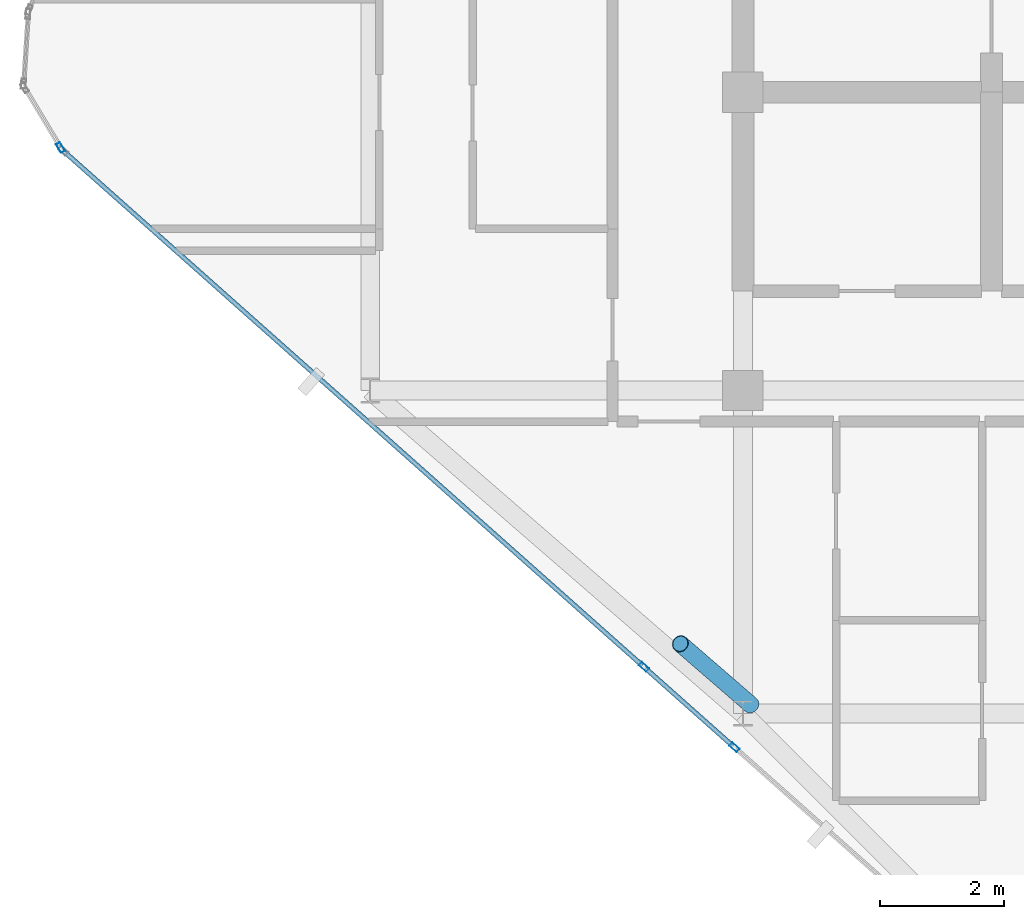
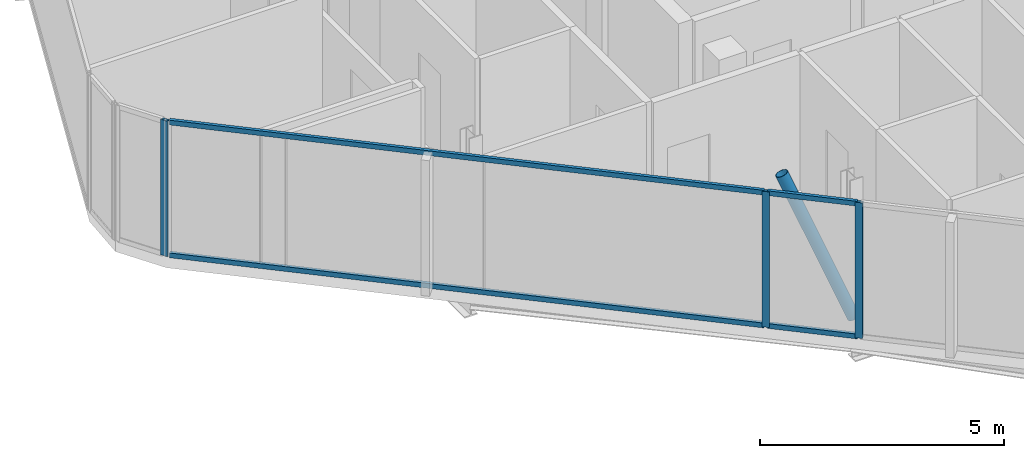
# One storey, part 3 of 27: 8 members, 4 elements without a shape of their own.
"""IFC4 building model written with IfcOpenShell, lengths in metres."""

from ifc_helpers import new_model, si_unit, direction, frame, origin, origin_2d, place, context, subcontext, project, spatial, hollow_rectangle, hollow_circle, extrude, material, layer, layer_set, material_profile, profile_set, type_object, element, aggregate, save


model = new_model("IFC4")

# Units and contexts
model_context = context("Model", 3, precision=1e-05, world=origin(), true_north=direction((0.0, 1.0)))
body_context = subcontext(model_context, "Body", "Model", "MODEL_VIEW")
ifc_project = project(units=[si_unit("LENGTHUNIT", "METRE"), si_unit("AREAUNIT", "SQUARE_METRE"), si_unit("VOLUMEUNIT", "CUBIC_METRE"), si_unit("PLANEANGLEUNIT", "RADIAN"), si_unit("MASSUNIT", "GRAM", prefix="KILO")], contexts=[model_context])

# Site, building, storey
site_placement = place(None, origin())
site = spatial("IfcSite", under=ifc_project, at=site_placement, CompositionType="ELEMENT")
building_placement = place(site_placement, origin())
building = spatial("IfcBuilding", under=site, at=building_placement, Name="Keshet Zoharim Tower", CompositionType="ELEMENT")
storey_placement = place(building_placement, frame((0.0, 0.0, 288.0)))
storey = spatial("IfcBuildingStorey", under=building, at=storey_placement, Name="L72", CompositionType="ELEMENT", Elevation=288.0)

# Curtain wall, member
ifc_material_1 = material(Name="Aluminium 6063-T6", Category="aluminium")
ifc_layer = layer(ifc_material_1, 0.260009765625)
ifc_layer_set = layer_set([ifc_layer], Name="Aluminium 6063-T6")
curtain_wall_type = type_object("IfcCurtainWallType", Name="CW-SYS-06", PredefinedType="NOTDEFINED", material=ifc_layer_set)
curtain_wall_1_placement = place(storey_placement, origin())
curtain_wall_1 = element("IfcCurtainWall", 1, at=curtain_wall_1_placement, inside=storey, type_object=curtain_wall_type, Name="L72 Unitised Curtain Wall 01", PredefinedType="NOTDEFINED")
ifc_material_profile_1 = material_profile(ifc_material_1, hollow_rectangle(XDim=0.074951171875, YDim=0.159912109375, WallThickness=0.00390625, at=origin_2d()), Name="MUL-75x160")
ifc_profile_set_1 = profile_set([ifc_material_profile_1], Name="Aluminium 6063-T6")
member_type_1 = type_object("IfcMemberType", Name="CWM-M15", PredefinedType="MULLION", material=ifc_profile_set_1)
member_1_placement = place(storey_placement, frame((4.016845703125, 21.81005859375, 0.0), z_axis=(0.0, 0.0, 1.0), x_axis=(-0.856826433805, -0.515604947933, 0.0)))
member_1 = element("IfcMember", 2, at=member_1_placement, type_object=member_type_1, Name="CW-06 mullion 1", PredefinedType="MULLION", context=body_context, shape_type="SweptSolid", body=[
    extrude(hollow_rectangle(XDim=0.074951171875, YDim=0.159912109375, WallThickness=0.00390625, at=origin_2d()), origin(), (0.0, 0.0, 1.0), 3.389892578125),
])
aggregate(curtain_wall_1, [member_1])

curtain_wall_2_placement = place(storey_placement, origin())
curtain_wall_2 = element("IfcCurtainWall", 3, at=curtain_wall_2_placement, inside=storey, type_object=curtain_wall_type, Name="L72 Unitised Curtain Wall 16", PredefinedType="NOTDEFINED")
member_2_placement = place(storey_placement, frame((14.863037109375, 12.155029296875, 0.0), z_axis=(0.0, 0.0, 1.0), x_axis=(-0.664362180559, -0.747410792699, 0.0)))
member_2 = element("IfcMember", 4, at=member_2_placement, type_object=member_type_1, Name="CW-06 mullion 2", PredefinedType="MULLION", context=body_context, shape_type="SweptSolid", body=[
    extrude(hollow_rectangle(XDim=0.074951171875, YDim=0.159912109375, WallThickness=0.00390625, at=origin_2d()), origin(), (0.0, 0.0, 1.0), 3.389892578125),
])
aggregate(curtain_wall_2, [member_2])

# Curtain wall, members
curtain_wall_3_placement = place(storey_placement, origin())
curtain_wall_3 = element("IfcCurtainWall", 5, at=curtain_wall_3_placement, inside=storey, type_object=curtain_wall_type, Name="L72 Unitised Curtain Wall 16 Part 2", PredefinedType="NOTDEFINED")
member_3_placement = place(storey_placement, frame((13.40576171875, 13.450439453125, 0.0), z_axis=(0.0, 0.0, 1.0), x_axis=(-0.664338369143, -0.747431957629, 0.0)))
member_3 = element("IfcMember", 6, at=member_3_placement, type_object=member_type_1, Name="CW-06 mullion 2", PredefinedType="MULLION", context=body_context, shape_type="SweptSolid", body=[
    extrude(hollow_rectangle(XDim=0.074951171875, YDim=0.159912109375, WallThickness=0.00390625, at=origin_2d()), origin(), (0.0, 0.0, 1.0), 3.389892578125),
])
ifc_material_profile_2 = material_profile(ifc_material_1, hollow_rectangle(XDim=0.074951171875, YDim=0.1201171875, WallThickness=0.00390625, at=origin_2d()), Name="TRN-75x120")
ifc_profile_set_2 = profile_set([ifc_material_profile_2], Name="Aluminium 6063-T6")
member_type_2 = type_object("IfcMemberType", Name="CWT-T12", PredefinedType="USERDEFINED", material=ifc_profile_set_2)
member_4_placement = place(storey_placement, frame((14.8369140625, 12.178466796875, 0.034912109375), z_axis=(-0.747452318941, 0.664315460387, 0.0), x_axis=(-0.664315460387, -0.747452318941, 0.0)))
member_4 = element("IfcMember", 7, at=member_4_placement, type_object=member_type_2, Name="CW-06 transom 1.1", ObjectType="TRANSOM", PredefinedType="USERDEFINED", context=body_context, shape_type="SweptSolid", body=[
    extrude(hollow_rectangle(XDim=0.074951171875, YDim=0.1201171875, WallThickness=0.00390625, at=origin_2d()), origin(), (0.0, 0.0, 1.0), 1.87939453125),
])
member_5_placement = place(storey_placement, frame((14.8369140625, 12.178466796875, 3.35498046875), z_axis=(-0.747452318941, 0.664315460387, 0.0), x_axis=(-0.664315460387, -0.747452318941, 0.0)))
member_5 = element("IfcMember", 8, at=member_5_placement, type_object=member_type_2, Name="CW-06 transom 1.2", ObjectType="TRANSOM", PredefinedType="USERDEFINED", context=body_context, shape_type="SweptSolid", body=[
    extrude(hollow_rectangle(XDim=0.074951171875, YDim=0.1201171875, WallThickness=0.00390625, at=origin_2d()), origin(), (0.0, 0.0, 1.0), 1.87939453125),
])
aggregate(curtain_wall_3, [member_3, member_4, member_5])

curtain_wall_4_placement = place(storey_placement, origin())
curtain_wall_4 = element("IfcCurtainWall", 9, at=curtain_wall_4_placement, inside=storey, type_object=curtain_wall_type, Name="L72 Unitised Curtain Wall 16 Part 3", PredefinedType="NOTDEFINED")
member_6_placement = place(storey_placement, frame((13.379638671875, 13.4736328125, 0.034912109375), z_axis=(-0.747409318684, 0.66436383883, 0.0), x_axis=(-0.66436383883, -0.747409318684, 0.0)))
member_6 = element("IfcMember", 10, at=member_6_placement, type_object=member_type_2, Name="CW-06 transom 1.1", ObjectType="TRANSOM", PredefinedType="USERDEFINED", context=body_context, shape_type="SweptSolid", body=[
    extrude(hollow_rectangle(XDim=0.074951171875, YDim=0.1201171875, WallThickness=0.00390625, at=origin_2d()), origin(), (0.0, 0.0, 1.0), 12.4326171875),
])
member_7_placement = place(storey_placement, frame((13.379638671875, 13.4736328125, 3.35498046875), z_axis=(-0.747409318684, 0.66436383883, 0.0), x_axis=(-0.66436383883, -0.747409318684, 0.0)))
member_7 = element("IfcMember", 11, at=member_7_placement, type_object=member_type_2, Name="CW-06 transom 1.2", ObjectType="TRANSOM", PredefinedType="USERDEFINED", context=body_context, shape_type="SweptSolid", body=[
    extrude(hollow_rectangle(XDim=0.074951171875, YDim=0.1201171875, WallThickness=0.00390625, at=origin_2d()), origin(), (0.0, 0.0, 1.0), 12.4326171875),
])
aggregate(curtain_wall_4, [member_6, member_7])

# Member
ifc_material_2 = material(Name="Steel S355", Category="steel")
ifc_material_profile_3 = material_profile(ifc_material_2, hollow_circle(Radius=0.136474609375, WallThickness=0.010009765625, at=origin_2d()), Name="CHS273x10")
ifc_profile_set_3 = profile_set([ifc_material_profile_3], Name="Steel S355")
member_type_3 = type_object("IfcMemberType", Name="MB-BR-C273", PredefinedType="BRACE", material=ifc_profile_set_3)
member_8_placement = place(storey_placement, frame((15.1259765625, 12.842041015625, 0.0), z_axis=(-0.305919508672, 0.264888754334, 0.914465528077), x_axis=(-0.654589683411, -0.755984355904, 0.0)))
element("IfcMember", 12, at=member_8_placement, inside=storey, type_object=member_type_3, Name="L72 Perimeter Tube Brace 01", PredefinedType="BRACE", context=body_context, shape_type="SweptSolid", body=[
    extrude(hollow_circle(Radius=0.136474609375, WallThickness=0.010009765625, at=origin_2d()), origin(), (0.0, 0.0, 1.0), 3.70703125),
])

save(model, "model.ifc")
